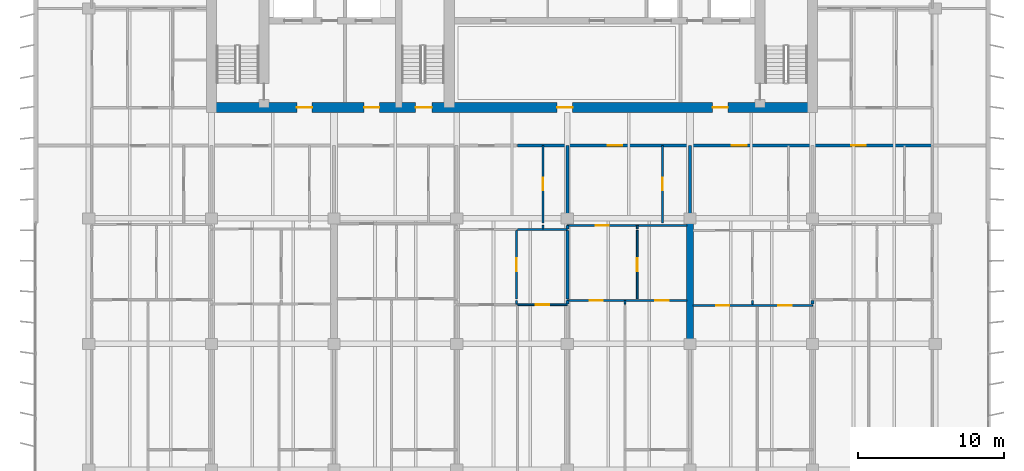
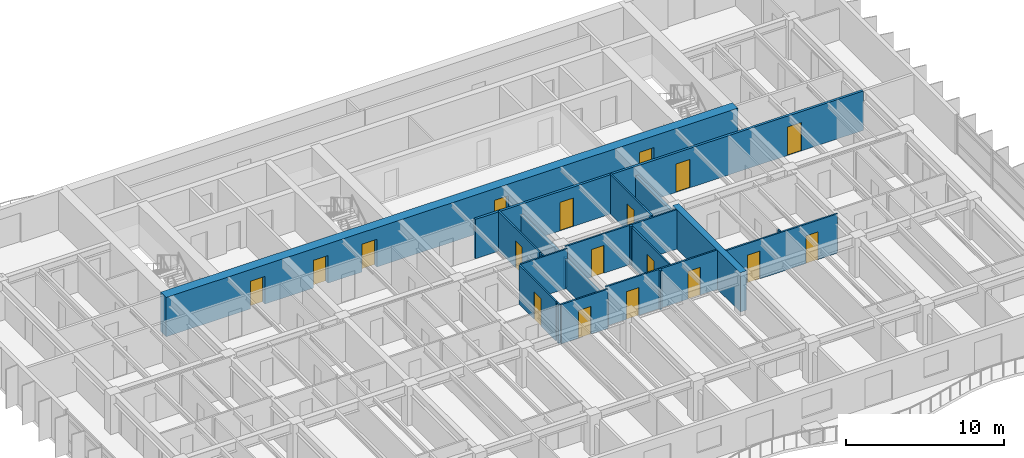
# One storey, part 11 of 19: 23 walls, 18 doors, 18 openings.
"""IFC4 building model written with IfcOpenShell, lengths in metres."""

import ifcopenshell
import ifcopenshell.guid

model = None  # the IFC model being written
_history = None  # IfcOwnerHistory: only IFC2X3 demands one
_inside = {}  # id of a spatial element -> (the spatial element, [elements in it])
_under = {}  # id of a project, library or spatial element -> (it, [spatial elements below it])
_declared = {}  # id of a project -> (the project, [libraries it declares])
_typed = {}  # id of a type object -> (the type object, [elements of that type])
_made_of = {}  # id of a material, layer set ... -> (it, [elements and type objects made of it])


def new_model(schema):
    """Start an empty IFC model of exactly this schema.

    Asked for "IFC4X3", IfcOpenShell would pick the latest addendum, in which some entities
    have other attributes; the version numbers below select the first issue.
    IFC2X3 requires an IfcOwnerHistory on every rooted entity: one is made here for all.
    """
    global model, _history
    if schema == "IFC4X3":
        model = ifcopenshell.file(schema_version=(4, 3, 0, 0))
    else:
        model = ifcopenshell.file(schema=schema)
    _inside.clear()
    _under.clear()
    _declared.clear()
    _typed.clear()
    _made_of.clear()
    _history = None
    if model.schema == "IFC2X3":
        org = make("IfcOrganization", Name="unknown")
        user = make(
            "IfcPersonAndOrganization",
            ThePerson=make("IfcPerson", FamilyName="unknown"),
            TheOrganization=org,
        )
        app = make(
            "IfcApplication",
            ApplicationDeveloper=org,
            Version="unknown",
            ApplicationFullName="unknown",
            ApplicationIdentifier="unknown",
        )
        _history = make(
            "IfcOwnerHistory",
            OwningUser=user,
            OwningApplication=app,
            ChangeAction="ADDED",
            CreationDate=0,
        )
    return model


def make(cls, **values):
    """One entity of the class cls with the attributes given. An attribute that is None is left unset."""
    return model.create_entity(
        cls, **{name: value for name, value in values.items() if value is not None}
    )


def rooted(cls, **values):
    """An entity with a GlobalId (a new one), such as an element, a storey or a relation."""
    return make(cls, GlobalId=ifcopenshell.guid.new(), OwnerHistory=_history, **values)


def si_unit(unit_type, name, prefix=None):
    """IfcSIUnit, for example si_unit("LENGTHUNIT", "METRE", prefix="MILLI")."""
    return make("IfcSIUnit", UnitType=unit_type, Prefix=prefix, Name=name)


def assignment(units):
    """IfcUnitAssignment: the units of a project."""
    return None if units is None else make("IfcUnitAssignment", Units=units)


def point(xyz):
    """IfcCartesianPoint."""
    return None if xyz is None else make("IfcCartesianPoint", Coordinates=xyz)


def direction(xyz):
    """IfcDirection."""
    return None if xyz is None else make("IfcDirection", DirectionRatios=xyz)


def frame(location, z_axis=None, x_axis=None):
    """IfcAxis2Placement3D, a coordinate frame: its origin and axes. An axis left out is left unset."""
    return make(
        "IfcAxis2Placement3D",
        Location=point(location),
        Axis=direction(z_axis),
        RefDirection=direction(x_axis),
    )


def frame_2d(location, x_axis=None):
    """IfcAxis2Placement2D, a coordinate frame in the plane: its origin and x axis."""
    return make(
        "IfcAxis2Placement2D", Location=point(location), RefDirection=direction(x_axis)
    )


def origin():
    """The frame at (0, 0, 0) with its axes left unset."""
    return frame((0.0, 0.0, 0.0))


def place(relative_to, where):
    """IfcLocalPlacement: puts the frame where relative to a parent placement (None: the world)."""
    return make(
        "IfcLocalPlacement", PlacementRelTo=relative_to, RelativePlacement=where
    )


def context(
    kind, dimensions, precision=None, world=None, true_north=None, identifier=None
):
    """IfcGeometricRepresentationContext, for example the 3D "Model" context."""
    return make(
        "IfcGeometricRepresentationContext",
        ContextIdentifier=identifier,
        ContextType=kind,
        CoordinateSpaceDimension=dimensions,
        Precision=precision,
        WorldCoordinateSystem=world,
        TrueNorth=true_north,
    )


def subcontext(parent, identifier, kind, view, scale=None):
    """IfcGeometricRepresentationSubContext, for example "Body" below "Model"."""
    return make(
        "IfcGeometricRepresentationSubContext",
        ContextIdentifier=identifier,
        ContextType=kind,
        ParentContext=parent,
        TargetScale=scale,
        TargetView=view,
    )


def project(units=None, contexts=None):
    """IfcProject with its units and contexts."""
    return rooted(
        "IfcProject",
        Name="project",
        RepresentationContexts=contexts,
        UnitsInContext=assignment(units),
    )


def spatial(cls, under=None, at=None, **own):
    """A site, building, storey or space (cls), placed at a placement, below another one or the project."""
    s = rooted(cls, ObjectPlacement=at, **own)
    if under is not None:
        _under.setdefault(under.id(), (under, []))[1].append(s)
    return s


def profile(cls, at=None, kind="AREA", **sizes):
    """A parametric profile (cls). Its sizes go by their IFC names, for example OverallWidth=200.0."""
    return make(cls, ProfileType=kind, Position=at, **sizes)


def rectangle(**sizes):
    """IfcRectangleProfileDef."""
    return profile("IfcRectangleProfileDef", **sizes)


def extrude(swept, where, along, depth):
    """IfcExtrudedAreaSolid: the profile swept, set in the frame where, extruded along a direction by depth."""
    return make(
        "IfcExtrudedAreaSolid",
        SweptArea=swept,
        Position=where,
        ExtrudedDirection=direction(along),
        Depth=depth,
    )


def shape(context_of_items, identifier, shape_type, items):
    """IfcShapeRepresentation: the items that make up one representation, for example the "Body"."""
    return make(
        "IfcShapeRepresentation",
        ContextOfItems=context_of_items,
        RepresentationIdentifier=identifier,
        RepresentationType=shape_type,
        Items=items,
    )


def material(Name=None, Category=None):
    """IfcMaterial."""
    return make("IfcMaterial", Name=Name, Category=Category)


def layer(
    of_material, thickness, ventilated=None, Name=None, Category=None, Priority=None
):
    """IfcMaterialLayer: one layer of a wall or slab, of a material (None: an air gap)."""
    return make(
        "IfcMaterialLayer",
        Material=of_material,
        LayerThickness=thickness,
        IsVentilated=ventilated,
        Name=Name,
        Category=Category,
        Priority=Priority,
    )


def layer_set(layers, Name=None):
    """IfcMaterialLayerSet."""
    return make("IfcMaterialLayerSet", MaterialLayers=layers, LayerSetName=Name)


def made_of(thing, what):
    """Note that an element or type object is made of a material, layer set ...; save() writes the relation."""
    if what is not None:
        _made_of.setdefault(what.id(), (what, []))[1].append(thing)
    return thing


def type_object(cls, material=None, **own):
    """A type object (cls), such as IfcWallType, which elements share."""
    return made_of(rooted(cls, **own), material)


def element(
    cls,
    number,
    at=None,
    inside=None,
    cuts=None,
    type_object=None,
    material=None,
    context=None,
    identifier="Body",
    shape_type=None,
    held_by="IfcProductDefinitionShape",
    body=None,
    shapes=None,
    **own,
):
    """One element of the class cls, such as IfcWall. Its Tag is "e" and its number.

    at: its placement. inside: the storey or other place that contains it. cuts: it is an
    opening in that element (IfcRelVoidsElement). A single representation is given by context,
    identifier, shape_type and body (its items); several are given by shapes. held_by: the class
    of the entity that holds the representations. save() writes the other relations.
    """
    e = rooted(cls, Tag="e%d" % number, ObjectPlacement=at, **own)
    if body is not None:
        shapes = [shape(context, identifier, shape_type, body)]
    if shapes is not None:
        e.Representation = make(held_by, Representations=shapes)
    if inside is not None:
        _inside.setdefault(inside.id(), (inside, []))[1].append(e)
    if cuts is not None:
        rooted(
            "IfcRelVoidsElement", RelatingBuildingElement=cuts, RelatedOpeningElement=e
        )
    if type_object is not None:
        _typed.setdefault(type_object.id(), (type_object, []))[1].append(e)
    return made_of(e, material)


def fill(opening, filler):
    """IfcRelFillsElement: the door or window that sits in an opening."""
    return rooted(
        "IfcRelFillsElement",
        RelatingOpeningElement=opening,
        RelatedBuildingElement=filler,
    )


def aggregate(whole, parts):
    """IfcRelAggregates: a whole, such as a stair, and the parts it consists of."""
    return rooted("IfcRelAggregates", RelatingObject=whole, RelatedObjects=parts)


def save(model, path):
    """Write the relations noted so far, then the file.

    IfcRelAggregates (storeys below a building ...), IfcRelContainedInSpatialStructure (elements
    in a storey), IfcRelDefinesByType, IfcRelAssociatesMaterial and IfcRelDeclares: one each for
    every whole, place, type object, material and project.
    """
    for whole, parts in _under.values():
        aggregate(whole, parts)
    for where, things in _inside.values():
        rooted(
            "IfcRelContainedInSpatialStructure",
            RelatedElements=things,
            RelatingStructure=where,
        )
    for kind, things in _typed.values():
        rooted("IfcRelDefinesByType", RelatedObjects=things, RelatingType=kind)
    for what, things in _made_of.values():
        rooted("IfcRelAssociatesMaterial", RelatedObjects=things, RelatingMaterial=what)
    for by, libraries in _declared.values():
        rooted("IfcRelDeclares", RelatingContext=by, RelatedDefinitions=libraries)
    model.write(path)


model = new_model("IFC4")

# Units and contexts
model_context = context("Model", 3, precision=1e-05, world=origin(), true_north=direction((0.0, 1.0)))
body_context = subcontext(model_context, "Body", "Model", "MODEL_VIEW")
ifc_project = project(units=[si_unit("LENGTHUNIT", "METRE"), si_unit("AREAUNIT", "SQUARE_METRE"), si_unit("VOLUMEUNIT", "CUBIC_METRE"), si_unit("PLANEANGLEUNIT", "RADIAN"), si_unit("MASSUNIT", "GRAM", prefix="KILO")], contexts=[model_context])

# Site, building, storey
site_placement = place(None, origin())
site = spatial("IfcSite", under=ifc_project, at=site_placement, CompositionType="ELEMENT")
building_placement = place(site_placement, origin())
building = spatial("IfcBuilding", under=site, at=building_placement, Name="Caelmar Bay Residences", CompositionType="ELEMENT")
storey_placement = place(building_placement, frame((0.0, 0.0, 214.800048828125)))
storey = spatial("IfcBuildingStorey", under=building, at=storey_placement, Name="L60", CompositionType="ELEMENT", Elevation=214.800048828125)

# Wall, openings, doors
ifc_material_1 = material(Name="Concrete f'c 55 MPa (8,000 psi)", Category="concrete")
ifc_layer_1 = layer(ifc_material_1, 0.699951171875)
ifc_layer_set_1 = layer_set([ifc_layer_1], Name="Concrete f'c 55 MPa (8,000 psi)")
wall_type_1 = type_object("IfcWallType", Name="SW-COR-700", PredefinedType="SHEAR", material=ifc_layer_set_1)
wall_1_placement = place(storey_placement, frame((17.949951171875, 37.0, 0.0), z_axis=(0.0, 0.0, 1.0), x_axis=(1.0, 0.0, 0.0)))
wall_1 = element("IfcWall", 1, at=wall_1_placement, inside=storey, type_object=wall_type_1, Name="L60 Rear Core South Shear Wall", PredefinedType="SHEAR", context=body_context, shape_type="SweptSolid", body=[
    extrude(rectangle(XDim=41.900146484375, YDim=0.699951171875, at=frame_2d((20.9501953125, 0.0))), origin(), (0.0, 0.0, 1.0), 3.050048828125),
])
opening_1_placement = place(wall_1_placement, frame((14.35009765625, 0.0, 0.0)))
opening_1 = element("IfcOpeningElement", 2, at=opening_1_placement, cuts=wall_1, Name="Opening D-L60-105", PredefinedType="OPENING", context=body_context, shape_type="SweptSolid", body=[
    extrude(rectangle(XDim=1.10009765625, YDim=2.14990234375, at=frame_2d((0.550048828125, 1.074951171875))), frame((0.0, 0.35986328125, 0.0), z_axis=(0.0, -1.0, 0.0), x_axis=(1.0, 0.0, 0.0)), (0.0, 0.0, 1.0), 0.719970703125),
])
opening_2_placement = place(wall_1_placement, frame((6.199951171875, 0.0, 0.0)))
opening_2 = element("IfcOpeningElement", 3, at=opening_2_placement, cuts=wall_1, Name="Opening D-L60-106", PredefinedType="OPENING", context=body_context, shape_type="SweptSolid", body=[
    extrude(rectangle(XDim=1.050048828125, YDim=2.14990234375, at=frame_2d((0.52490234375, 1.074951171875))), frame((0.0, 0.35986328125, 0.0), z_axis=(0.0, -1.0, 0.0), x_axis=(1.0, 0.0, 0.0)), (0.0, 0.0, 1.0), 0.719970703125),
])
opening_3_placement = place(wall_1_placement, frame((34.699951171875, 0.0, 0.0)))
opening_3 = element("IfcOpeningElement", 4, at=opening_3_placement, cuts=wall_1, Name="Opening D-L60-109", PredefinedType="OPENING", context=body_context, shape_type="SweptSolid", body=[
    extrude(rectangle(XDim=1.050048828125, YDim=2.14990234375, at=frame_2d((0.52490234375, 1.074951171875))), frame((0.0, 0.35986328125, 0.0), z_axis=(0.0, -1.0, 0.0), x_axis=(1.0, 0.0, 0.0)), (0.0, 0.0, 1.0), 0.719970703125),
])
opening_4_placement = place(wall_1_placement, frame((10.8125, 0.0, 0.0)))
opening_4 = element("IfcOpeningElement", 5, at=opening_4_placement, cuts=wall_1, Name="Opening D-L60-112", PredefinedType="OPENING", context=body_context, shape_type="SweptSolid", body=[
    extrude(rectangle(XDim=1.050048828125, YDim=2.14990234375, at=frame_2d((0.52490234375, 1.074951171875))), frame((0.0, 0.35986328125, 0.0), z_axis=(0.0, -1.0, 0.0), x_axis=(1.0, 0.0, 0.0)), (0.0, 0.0, 1.0), 0.719970703125),
])
opening_5_placement = place(wall_1_placement, frame((24.050048828125, 0.0, 0.0)))
opening_5 = element("IfcOpeningElement", 6, at=opening_5_placement, cuts=wall_1, Name="Opening D-L60-113", PredefinedType="OPENING", context=body_context, shape_type="SweptSolid", body=[
    extrude(rectangle(XDim=1.050048828125, YDim=2.14990234375, at=frame_2d((0.52490234375, 1.074951171875))), frame((0.0, 0.35986328125, 0.0), z_axis=(0.0, -1.0, 0.0), x_axis=(1.0, 0.0, 0.0)), (0.0, 0.0, 1.0), 0.719970703125),
])
ifc_material_2 = material(Name="Fire-rated steel and walnut architectural door assembly", Category="steel")
ifc_layer_2 = layer(ifc_material_2, 0.050048828125)
ifc_layer_set_2 = layer_set([ifc_layer_2], Name="Fire-rated steel and walnut architectural door assembly")
door_type_1 = type_object("IfcDoorType", Name="D-FSAE-1050", OperationType="NOTDEFINED", PredefinedType="DOOR", material=ifc_layer_set_2)
door_1_placement = place(opening_2_placement, origin())
door_1 = element("IfcDoor", 7, at=door_1_placement, inside=storey, type_object=door_type_1, Name="L60 Firefighting Lobby West Door", OperationType="SINGLE_SWING_LEFT", OverallHeight=2.14990234375, OverallWidth=1.050048828125, PredefinedType="DOOR", context=body_context, shape_type="SweptSolid", body=[
    extrude(rectangle(XDim=1.050048828125, YDim=2.14990234375, at=frame_2d((0.52490234375, 1.074951171875))), frame((0.0, 0.02490234375, 0.0), z_axis=(0.0, -1.0, 0.0), x_axis=(1.0, 0.0, 0.0)), (0.0, 0.0, 1.0), 0.050048828125),
])
fill(opening_2, door_1)
door_2_placement = place(opening_3_placement, origin())
door_2 = element("IfcDoor", 8, at=door_2_placement, inside=storey, type_object=door_type_1, Name="L60 Firefighting Lobby East Door", OperationType="SINGLE_SWING_RIGHT", OverallHeight=2.14990234375, OverallWidth=1.050048828125, PredefinedType="DOOR", context=body_context, shape_type="SweptSolid", body=[
    extrude(rectangle(XDim=1.050048828125, YDim=2.14990234375, at=frame_2d((0.52490234375, 1.074951171875))), frame((0.0, 0.02490234375, 0.0), z_axis=(0.0, -1.0, 0.0), x_axis=(1.0, 0.0, 0.0)), (0.0, 0.0, 1.0), 0.050048828125),
])
fill(opening_3, door_2)
door_3_placement = place(opening_4_placement, origin())
door_3 = element("IfcDoor", 9, at=door_3_placement, inside=storey, type_object=door_type_1, Name="L60 West Lift Lobby Door", OperationType="SINGLE_SWING_LEFT", OverallHeight=2.14990234375, OverallWidth=1.050048828125, PredefinedType="DOOR", context=body_context, shape_type="SweptSolid", body=[
    extrude(rectangle(XDim=1.050048828125, YDim=2.14990234375, at=frame_2d((0.52490234375, 1.074951171875))), frame((0.0, 0.02490234375, 0.0), z_axis=(0.0, -1.0, 0.0), x_axis=(1.0, 0.0, 0.0)), (0.0, 0.0, 1.0), 0.050048828125),
])
fill(opening_4, door_3)
door_4_placement = place(opening_5_placement, origin())
door_4 = element("IfcDoor", 10, at=door_4_placement, inside=storey, type_object=door_type_1, Name="L60 Passenger Lift Lobby Door", OperationType="SINGLE_SWING_RIGHT", OverallHeight=2.14990234375, OverallWidth=1.050048828125, PredefinedType="DOOR", context=body_context, shape_type="SweptSolid", body=[
    extrude(rectangle(XDim=1.050048828125, YDim=2.14990234375, at=frame_2d((0.52490234375, 1.074951171875))), frame((0.0, 0.02490234375, 0.0), z_axis=(0.0, -1.0, 0.0), x_axis=(1.0, 0.0, 0.0)), (0.0, 0.0, 1.0), 0.050048828125),
])
fill(opening_5, door_4)
ifc_layer_3 = layer(ifc_material_2, 0.050048828125)
ifc_layer_set_3 = layer_set([ifc_layer_3], Name="Fire-rated steel and walnut architectural door assembly")
door_type_2 = type_object("IfcDoorType", Name="D-STAIR-1100", OperationType="NOTDEFINED", PredefinedType="DOOR", material=ifc_layer_set_3)
door_5_placement = place(opening_1_placement, origin())
door_5 = element("IfcDoor", 11, at=door_5_placement, inside=storey, type_object=door_type_2, Name="L60 Exit Stair ST3 Door", OperationType="SINGLE_SWING_RIGHT", OverallHeight=2.14990234375, OverallWidth=1.10009765625, PredefinedType="DOOR", context=body_context, shape_type="SweptSolid", body=[
    extrude(rectangle(XDim=1.10009765625, YDim=2.14990234375, at=frame_2d((0.550048828125, 1.074951171875))), frame((0.0, 0.02490234375, 0.0), z_axis=(0.0, -1.0, 0.0), x_axis=(1.0, 0.0, 0.0)), (0.0, 0.0, 1.0), 0.050048828125),
])
fill(opening_1, door_5)

# Wall
ifc_layer_4 = layer(ifc_material_1, 0.449951171875)
ifc_layer_set_4 = layer_set([ifc_layer_4], Name="Concrete f'c 55 MPa (8,000 psi)")
wall_type_2 = type_object("IfcWallType", Name="SW-XSLB-450", PredefinedType="SHEAR", material=ifc_layer_set_4)
wall_2_placement = place(storey_placement, frame((51.10009765625, 20.800048828125, 0.0), z_axis=(0.0, 0.0, 1.0), x_axis=(0.0, 1.0, 0.0)))
element("IfcWall", 12, at=wall_2_placement, inside=storey, type_object=wall_type_2, Name="L60 Transverse Cross-Slab Shear Wall E8", PredefinedType="SHEAR", context=body_context, shape_type="SweptSolid", body=[
    extrude(rectangle(XDim=8.599853515625, YDim=0.449951171875, at=frame_2d((4.2998046875, 0.0))), origin(), (0.0, 0.0, 1.0), 3.050048828125),
])

# Wall, openings, doors
ifc_material_3 = material(Name="Double-stud acoustic fire-rated gypsum partition 180 mm")
ifc_layer_5 = layer(ifc_material_3, 0.179931640625)
ifc_layer_set_5 = layer_set([ifc_layer_5], Name="Double-stud acoustic fire-rated gypsum partition 180 mm")
wall_type_3 = type_object("IfcWallType", Name="W-COR-200", PredefinedType="PARTITIONING", material=ifc_layer_set_5)
wall_3_placement = place(storey_placement, frame((39.280029296875, 34.39990234375, 0.0), z_axis=(0.0, 0.0, 1.0), x_axis=(1.0, 0.0, 0.0)))
wall_3 = element("IfcWall", 13, at=wall_3_placement, inside=storey, type_object=wall_type_3, Name="L60 Partition Wall H128", PredefinedType="PARTITIONING", context=body_context, shape_type="SweptSolid", body=[
    extrude(rectangle(XDim=28.419921875, YDim=0.179931640625, at=frame_2d((14.2099609375, 0.0))), origin(), (0.0, 0.0, 1.0), 3.050048828125),
])
opening_6_placement = place(wall_3_placement, frame((6.179931640625, 0.0, 0.0)))
opening_6 = element("IfcOpeningElement", 14, at=opening_6_placement, cuts=wall_3, Name="Opening D-L60-147", PredefinedType="OPENING", context=body_context, shape_type="SweptSolid", body=[
    extrude(rectangle(XDim=1.0, YDim=2.199951171875, at=frame_2d((0.5, 1.10009765625))), frame((0.0, 0.099853515625, 0.0), z_axis=(0.0, -1.0, 0.0), x_axis=(1.0, 0.0, 0.0)), (0.0, 0.0, 1.0), 0.199951171875),
])
opening_7_placement = place(wall_3_placement, frame((14.695068359375, 0.0, 0.0)))
opening_7 = element("IfcOpeningElement", 15, at=opening_7_placement, cuts=wall_3, Name="Opening D-L60-154", PredefinedType="OPENING", context=body_context, shape_type="SweptSolid", body=[
    extrude(rectangle(XDim=1.0, YDim=2.199951171875, at=frame_2d((0.5, 1.10009765625))), frame((0.0, 0.099853515625, 0.0), z_axis=(0.0, -1.0, 0.0), x_axis=(1.0, 0.0, 0.0)), (0.0, 0.0, 1.0), 0.199951171875),
])
opening_8_placement = place(wall_3_placement, frame((22.8701171875, 0.0, 0.0)))
opening_8 = element("IfcOpeningElement", 16, at=opening_8_placement, cuts=wall_3, Name="Opening D-L60-161", PredefinedType="OPENING", context=body_context, shape_type="SweptSolid", body=[
    extrude(rectangle(XDim=1.0, YDim=2.199951171875, at=frame_2d((0.5, 1.10009765625))), frame((0.0, 0.099853515625, 0.0), z_axis=(0.0, -1.0, 0.0), x_axis=(1.0, 0.0, 0.0)), (0.0, 0.0, 1.0), 0.199951171875),
])
ifc_layer_6 = layer(ifc_material_2, 0.050048828125)
ifc_layer_set_6 = layer_set([ifc_layer_6], Name="Fire-rated steel and walnut architectural door assembly")
door_type_3 = type_object("IfcDoorType", Name="D-UNIT-1000", OperationType="NOTDEFINED", PredefinedType="DOOR", material=ifc_layer_set_6)
door_6_placement = place(opening_6_placement, origin())
door_6 = element("IfcDoor", 17, at=door_6_placement, inside=storey, type_object=door_type_3, Name="L60 Residence 05 Apartment Hall Door", OperationType="SINGLE_SWING_RIGHT", OverallHeight=2.199951171875, OverallWidth=1.0, PredefinedType="DOOR", context=body_context, shape_type="SweptSolid", body=[
    extrude(rectangle(XDim=1.0, YDim=2.199951171875, at=frame_2d((0.5, 1.10009765625))), frame((0.0, 0.02490234375, 0.0), z_axis=(0.0, -1.0, 0.0), x_axis=(1.0, 0.0, 0.0)), (0.0, 0.0, 1.0), 0.050048828125),
])
fill(opening_6, door_6)
door_7_placement = place(opening_7_placement, origin())
door_7 = element("IfcDoor", 18, at=door_7_placement, inside=storey, type_object=door_type_3, Name="L60 Residence 06 Apartment Hall Door", OperationType="SINGLE_SWING_LEFT", OverallHeight=2.199951171875, OverallWidth=1.0, PredefinedType="DOOR", context=body_context, shape_type="SweptSolid", body=[
    extrude(rectangle(XDim=1.0, YDim=2.199951171875, at=frame_2d((0.5, 1.10009765625))), frame((0.0, 0.02490234375, 0.0), z_axis=(0.0, -1.0, 0.0), x_axis=(1.0, 0.0, 0.0)), (0.0, 0.0, 1.0), 0.050048828125),
])
fill(opening_7, door_7)
door_8_placement = place(opening_8_placement, origin())
door_8 = element("IfcDoor", 19, at=door_8_placement, inside=storey, type_object=door_type_3, Name="L60 Residence 07 Apartment Hall Door", OperationType="SINGLE_SWING_RIGHT", OverallHeight=2.199951171875, OverallWidth=1.0, PredefinedType="DOOR", context=body_context, shape_type="SweptSolid", body=[
    extrude(rectangle(XDim=1.0, YDim=2.199951171875, at=frame_2d((0.5, 1.10009765625))), frame((0.0, 0.02490234375, 0.0), z_axis=(0.0, -1.0, 0.0), x_axis=(1.0, 0.0, 0.0)), (0.0, 0.0, 1.0), 0.050048828125),
])
fill(opening_8, door_8)

# Wall
ifc_material_4 = material(Name="Acoustic metal-stud gypsum partition 120 mm")
ifc_layer_7 = layer(ifc_material_4, 0.1201171875)
ifc_layer_set_7 = layer_set([ifc_layer_7], Name="Acoustic metal-stud gypsum partition 120 mm")
wall_type_4 = type_object("IfcWallType", Name="W-PRT-120", PredefinedType="PARTITIONING", material=ifc_layer_set_7)
wall_4_placement = place(storey_placement, frame((39.2041015625, 23.530029296875, 0.0), z_axis=(0.0, 0.0, 1.0), x_axis=(0.0, 1.0, 0.0)))
element("IfcWall", 20, at=wall_4_placement, inside=storey, type_object=wall_type_4, Name="L60 Partition Wall V049", PredefinedType="PARTITIONING", context=body_context, shape_type="SweptSolid", body=[
    extrude(rectangle(XDim=0.239990234375, YDim=0.1201171875, at=frame_2d((0.1201171875, 0.0))), origin(), (0.0, 0.0, 1.0), 3.050048828125),
])

# Wall, opening, door
wall_5_placement = place(storey_placement, frame((39.2041015625, 23.889892578125, 0.0), z_axis=(0.0, 0.0, 1.0), x_axis=(0.0, 1.0, 0.0)))
wall_5 = element("IfcWall", 21, at=wall_5_placement, inside=storey, type_object=wall_type_4, Name="L60 Partition Wall V050", PredefinedType="PARTITIONING", context=body_context, shape_type="SweptSolid", body=[
    extrude(rectangle(XDim=4.690185546875, YDim=0.1201171875, at=frame_2d((2.34521484375, 0.0))), origin(), (0.0, 0.0, 1.0), 3.050048828125),
])
opening_9_placement = place(wall_5_placement, frame((1.89501953125, 0.0, 0.0)))
opening_9 = element("IfcOpeningElement", 22, at=opening_9_placement, cuts=wall_5, Name="Opening D-L60-144", PredefinedType="OPENING", context=body_context, shape_type="SweptSolid", body=[
    extrude(rectangle(XDim=0.89990234375, YDim=2.14990234375, at=frame_2d((0.449951171875, 1.074951171875))), frame((0.0, 0.070068359375, 0.0), z_axis=(0.0, -1.0, 0.0), x_axis=(1.0, 0.0, 0.0)), (0.0, 0.0, 1.0), 0.14013671875),
])
ifc_material_5 = material(Name="Solid walnut timber interior door leaf and frame", Category="wood")
ifc_layer_8 = layer(ifc_material_5, 0.050048828125)
ifc_layer_set_8 = layer_set([ifc_layer_8], Name="Solid walnut timber interior door leaf and frame")
door_type_4 = type_object("IfcDoorType", Name="D-ROOM-900", OperationType="NOTDEFINED", PredefinedType="DOOR", material=ifc_layer_set_8)
door_9_placement = place(opening_9_placement, origin())
door_9 = element("IfcDoor", 23, at=door_9_placement, inside=storey, type_object=door_type_4, Name="L60 Residence 04 Curator Office Door", OperationType="SINGLE_SWING_LEFT", OverallHeight=2.14990234375, OverallWidth=0.89990234375, PredefinedType="DOOR", context=body_context, shape_type="SweptSolid", body=[
    extrude(rectangle(XDim=0.89990234375, YDim=2.14990234375, at=frame_2d((0.449951171875, 1.074951171875))), frame((0.0, 0.02490234375, 0.0), z_axis=(0.0, -1.0, 0.0), x_axis=(1.0, 0.0, 0.0)), (0.0, 0.0, 1.0), 0.050048828125),
])
fill(opening_9, door_9)

# Wall
wall_6_placement = place(storey_placement, frame((41.032958984375, 28.679931640625, 0.0), z_axis=(0.0, 0.0, 1.0), x_axis=(0.0, 1.0, 0.0)))
element("IfcWall", 24, at=wall_6_placement, inside=storey, type_object=wall_type_4, Name="L60 Partition Wall V053", PredefinedType="PARTITIONING", context=body_context, shape_type="SweptSolid", body=[
    extrude(rectangle(XDim=0.239990234375, YDim=0.1201171875, at=frame_2d((0.1201171875, 0.0))), origin(), (0.0, 0.0, 1.0), 3.050048828125),
])

# Wall, opening, door
wall_7_placement = place(storey_placement, frame((41.032958984375, 29.10009765625, 0.0), z_axis=(0.0, 0.0, 1.0), x_axis=(0.0, 1.0, 0.0)))
wall_7 = element("IfcWall", 25, at=wall_7_placement, inside=storey, type_object=wall_type_4, Name="L60 Partition Wall V054", PredefinedType="PARTITIONING", context=body_context, shape_type="SweptSolid", body=[
    extrude(rectangle(XDim=5.2998046875, YDim=0.1201171875, at=frame_2d((2.64990234375, 0.0))), origin(), (0.0, 0.0, 1.0), 3.050048828125),
])
opening_10_placement = place(wall_7_placement, frame((2.22509765625, 0.0, 0.0)))
opening_10 = element("IfcOpeningElement", 26, at=opening_10_placement, cuts=wall_7, Name="Opening D-L60-142", PredefinedType="OPENING", context=body_context, shape_type="SweptSolid", body=[
    extrude(rectangle(XDim=0.85009765625, YDim=2.10009765625, at=frame_2d((0.425048828125, 1.050048828125))), frame((0.0, 0.070068359375, 0.0), z_axis=(0.0, -1.0, 0.0), x_axis=(1.0, 0.0, 0.0)), (0.0, 0.0, 1.0), 0.14013671875),
])
ifc_layer_9 = layer(ifc_material_5, 0.050048828125)
ifc_layer_set_9 = layer_set([ifc_layer_9], Name="Solid walnut timber interior door leaf and frame")
door_type_5 = type_object("IfcDoorType", Name="D-BATH-850", OperationType="NOTDEFINED", PredefinedType="DOOR", material=ifc_layer_set_9)
door_10_placement = place(opening_10_placement, origin())
door_10 = element("IfcDoor", 27, at=door_10_placement, inside=storey, type_object=door_type_5, Name="L60 Residence 04 Bathroom Door", OperationType="SINGLE_SWING_LEFT", OverallHeight=2.10009765625, OverallWidth=0.85009765625, PredefinedType="DOOR", context=body_context, shape_type="SweptSolid", body=[
    extrude(rectangle(XDim=0.85009765625, YDim=2.10009765625, at=frame_2d((0.425048828125, 1.050048828125))), frame((0.0, 0.02490234375, 0.0), z_axis=(0.0, -1.0, 0.0), x_axis=(1.0, 0.0, 0.0)), (0.0, 0.0, 1.0), 0.050048828125),
])
fill(opening_10, door_10)

# Wall
wall_8_placement = place(storey_placement, frame((46.64794921875, 23.530029296875, 0.0), z_axis=(0.0, 0.0, 1.0), x_axis=(0.0, 1.0, 0.0)))
element("IfcWall", 28, at=wall_8_placement, inside=storey, type_object=wall_type_4, Name="L60 Partition Wall V064", PredefinedType="PARTITIONING", context=body_context, shape_type="SweptSolid", body=[
    extrude(rectangle(XDim=0.239990234375, YDim=0.1201171875, at=frame_2d((0.1201171875, 0.0))), origin(), (0.0, 0.0, 1.0), 3.050048828125),
])

# Wall, opening, door
wall_9_placement = place(storey_placement, frame((47.486083984375, 23.889892578125, 0.0), z_axis=(0.0, 0.0, 1.0), x_axis=(0.0, 1.0, 0.0)))
wall_9 = element("IfcWall", 29, at=wall_9_placement, inside=storey, type_object=wall_type_4, Name="L60 Partition Wall V065", PredefinedType="PARTITIONING", context=body_context, shape_type="SweptSolid", body=[
    extrude(rectangle(XDim=4.690185546875, YDim=0.1201171875, at=frame_2d((2.34521484375, 0.0))), origin(), (0.0, 0.0, 1.0), 3.050048828125),
])
opening_11_placement = place(wall_9_placement, frame((1.89501953125, 0.0, 0.0)))
opening_11 = element("IfcOpeningElement", 30, at=opening_11_placement, cuts=wall_9, Name="Opening D-L60-150", PredefinedType="OPENING", context=body_context, shape_type="SweptSolid", body=[
    extrude(rectangle(XDim=0.89990234375, YDim=2.14990234375, at=frame_2d((0.449951171875, 1.074951171875))), frame((0.0, 0.070068359375, 0.0), z_axis=(0.0, -1.0, 0.0), x_axis=(1.0, 0.0, 0.0)), (0.0, 0.0, 1.0), 0.14013671875),
])
door_11_placement = place(opening_11_placement, origin())
door_11 = element("IfcDoor", 31, at=door_11_placement, inside=storey, type_object=door_type_4, Name="L60 Residence 05 Curator Office Door", OperationType="SINGLE_SWING_LEFT", OverallHeight=2.14990234375, OverallWidth=0.89990234375, PredefinedType="DOOR", context=body_context, shape_type="SweptSolid", body=[
    extrude(rectangle(XDim=0.89990234375, YDim=2.14990234375, at=frame_2d((0.449951171875, 1.074951171875))), frame((0.0, 0.02490234375, 0.0), z_axis=(0.0, -1.0, 0.0), x_axis=(1.0, 0.0, 0.0)), (0.0, 0.0, 1.0), 0.050048828125),
])
fill(opening_11, door_11)

# Wall
wall_10_placement = place(storey_placement, frame((47.486083984375, 28.679931640625, 0.0), z_axis=(0.0, 0.0, 1.0), x_axis=(0.0, 1.0, 0.0)))
element("IfcWall", 32, at=wall_10_placement, inside=storey, type_object=wall_type_4, Name="L60 Partition Wall V066", PredefinedType="PARTITIONING", context=body_context, shape_type="SweptSolid", body=[
    extrude(rectangle(XDim=0.239990234375, YDim=0.1201171875, at=frame_2d((0.1201171875, 0.0))), origin(), (0.0, 0.0, 1.0), 3.050048828125),
])

# Wall, opening, door
wall_11_placement = place(storey_placement, frame((49.219970703125, 29.10009765625, 0.0), z_axis=(0.0, 0.0, 1.0), x_axis=(0.0, 1.0, 0.0)))
wall_11 = element("IfcWall", 33, at=wall_11_placement, inside=storey, type_object=wall_type_4, Name="L60 Partition Wall V068", PredefinedType="PARTITIONING", context=body_context, shape_type="SweptSolid", body=[
    extrude(rectangle(XDim=5.2998046875, YDim=0.1201171875, at=frame_2d((2.64990234375, 0.0))), origin(), (0.0, 0.0, 1.0), 3.050048828125),
])
opening_12_placement = place(wall_11_placement, frame((2.22509765625, 0.0, 0.0)))
opening_12 = element("IfcOpeningElement", 34, at=opening_12_placement, cuts=wall_11, Name="Opening D-L60-148", PredefinedType="OPENING", context=body_context, shape_type="SweptSolid", body=[
    extrude(rectangle(XDim=0.85009765625, YDim=2.10009765625, at=frame_2d((0.425048828125, 1.050048828125))), frame((0.0, 0.070068359375, 0.0), z_axis=(0.0, -1.0, 0.0), x_axis=(1.0, 0.0, 0.0)), (0.0, 0.0, 1.0), 0.14013671875),
])
door_12_placement = place(opening_12_placement, origin())
door_12 = element("IfcDoor", 35, at=door_12_placement, inside=storey, type_object=door_type_5, Name="L60 Residence 05 Bathroom Door", OperationType="SINGLE_SWING_LEFT", OverallHeight=2.10009765625, OverallWidth=0.85009765625, PredefinedType="DOOR", context=body_context, shape_type="SweptSolid", body=[
    extrude(rectangle(XDim=0.85009765625, YDim=2.10009765625, at=frame_2d((0.425048828125, 1.050048828125))), frame((0.0, 0.02490234375, 0.0), z_axis=(0.0, -1.0, 0.0), x_axis=(1.0, 0.0, 0.0)), (0.0, 0.0, 1.0), 0.050048828125),
])
fill(opening_12, door_12)

# Wall
wall_12_placement = place(storey_placement, frame((55.385986328125, 23.530029296875, 0.0), z_axis=(0.0, 0.0, 1.0), x_axis=(0.0, 1.0, 0.0)))
element("IfcWall", 36, at=wall_12_placement, inside=storey, type_object=wall_type_4, Name="L60 Partition Wall V075", PredefinedType="PARTITIONING", context=body_context, shape_type="SweptSolid", body=[
    extrude(rectangle(XDim=0.239990234375, YDim=0.1201171875, at=frame_2d((0.1201171875, 0.0))), origin(), (0.0, 0.0, 1.0), 3.050048828125),
])

# Wall, openings, doors
wall_13_placement = place(storey_placement, frame((51.320068359375, 23.429931640625, 0.0), z_axis=(0.0, 0.0, 1.0), x_axis=(1.0, 0.0, 0.0)))
wall_13 = element("IfcWall", 37, at=wall_13_placement, inside=storey, type_object=wall_type_4, Name="L60 Partition Wall H110", PredefinedType="PARTITIONING", context=body_context, shape_type="SweptSolid", body=[
    extrude(rectangle(XDim=8.179931640625, YDim=0.1201171875, at=frame_2d((4.08984375, 0.0))), origin(), (0.0, 0.0, 1.0), 3.050048828125),
])
opening_13_placement = place(wall_13_placement, frame((1.5830078125, 0.0, 0.0)))
opening_13 = element("IfcOpeningElement", 38, at=opening_13_placement, cuts=wall_13, Name="Opening D-L60-158", PredefinedType="OPENING", context=body_context, shape_type="SweptSolid", body=[
    extrude(rectangle(XDim=0.89990234375, YDim=2.14990234375, at=frame_2d((0.449951171875, 1.074951171875))), frame((0.0, 0.070068359375, 0.0), z_axis=(0.0, -1.0, 0.0), x_axis=(1.0, 0.0, 0.0)), (0.0, 0.0, 1.0), 0.14013671875),
])
opening_14_placement = place(wall_13_placement, frame((5.840087890625, 0.0, 0.0)))
opening_14 = element("IfcOpeningElement", 39, at=opening_14_placement, cuts=wall_13, Name="Opening D-L60-159", PredefinedType="OPENING", context=body_context, shape_type="SweptSolid", body=[
    extrude(rectangle(XDim=0.89990234375, YDim=2.14990234375, at=frame_2d((0.449951171875, 1.074951171875))), frame((0.0, 0.070068359375, 0.0), z_axis=(0.0, -1.0, 0.0), x_axis=(1.0, 0.0, 0.0)), (0.0, 0.0, 1.0), 0.14013671875),
])
door_13_placement = place(opening_13_placement, origin())
door_13 = element("IfcDoor", 40, at=door_13_placement, inside=storey, type_object=door_type_4, Name="L60 Residence 06 Living Room Door", OperationType="SINGLE_SWING_LEFT", OverallHeight=2.14990234375, OverallWidth=0.89990234375, PredefinedType="DOOR", context=body_context, shape_type="SweptSolid", body=[
    extrude(rectangle(XDim=0.89990234375, YDim=2.14990234375, at=frame_2d((0.449951171875, 1.074951171875))), frame((0.0, 0.02490234375, 0.0), z_axis=(0.0, -1.0, 0.0), x_axis=(1.0, 0.0, 0.0)), (0.0, 0.0, 1.0), 0.050048828125),
])
fill(opening_13, door_13)
door_14_placement = place(opening_14_placement, origin())
door_14 = element("IfcDoor", 41, at=door_14_placement, inside=storey, type_object=door_type_4, Name="L60 Residence 06 Penthouse Sitting Room Door", OperationType="SINGLE_SWING_RIGHT", OverallHeight=2.14990234375, OverallWidth=0.89990234375, PredefinedType="DOOR", context=body_context, shape_type="SweptSolid", body=[
    extrude(rectangle(XDim=0.89990234375, YDim=2.14990234375, at=frame_2d((0.449951171875, 1.074951171875))), frame((0.0, 0.02490234375, 0.0), z_axis=(0.0, -1.0, 0.0), x_axis=(1.0, 0.0, 0.0)), (0.0, 0.0, 1.0), 0.050048828125),
])
fill(opening_14, door_14)

# Wall, opening, door
wall_14_placement = place(storey_placement, frame((39.280029296875, 23.489990234375, 0.0), z_axis=(0.0, 0.0, 1.0), x_axis=(1.0, 0.0, 0.0)))
wall_14 = element("IfcWall", 42, at=wall_14_placement, inside=storey, type_object=wall_type_4, Name="L60 Partition Wall H112", PredefinedType="PARTITIONING", context=body_context, shape_type="SweptSolid", body=[
    extrude(rectangle(XDim=3.419921875, YDim=0.1201171875, at=frame_2d((1.7099609375, 0.0))), origin(), (0.0, 0.0, 1.0), 3.050048828125),
])
opening_15_placement = place(wall_14_placement, frame((1.260009765625, 0.0, 0.0)))
opening_15 = element("IfcOpeningElement", 43, at=opening_15_placement, cuts=wall_14, Name="Opening D-L60-146", PredefinedType="OPENING", context=body_context, shape_type="SweptSolid", body=[
    extrude(rectangle(XDim=0.89990234375, YDim=2.14990234375, at=frame_2d((0.449951171875, 1.074951171875))), frame((0.0, 0.070068359375, 0.0), z_axis=(0.0, -1.0, 0.0), x_axis=(1.0, 0.0, 0.0)), (0.0, 0.0, 1.0), 0.14013671875),
])
door_15_placement = place(opening_15_placement, origin())
door_15 = element("IfcDoor", 44, at=door_15_placement, inside=storey, type_object=door_type_4, Name="L60 Residence 04 Primary Bedroom Door", OperationType="SINGLE_SWING_LEFT", OverallHeight=2.14990234375, OverallWidth=0.89990234375, PredefinedType="DOOR", context=body_context, shape_type="SweptSolid", body=[
    extrude(rectangle(XDim=0.89990234375, YDim=2.14990234375, at=frame_2d((0.449951171875, 1.074951171875))), frame((0.0, 0.02490234375, 0.0), z_axis=(0.0, -1.0, 0.0), x_axis=(1.0, 0.0, 0.0)), (0.0, 0.0, 1.0), 0.050048828125),
])
fill(opening_15, door_15)

# Wall, openings, doors
wall_15_placement = place(storey_placement, frame((42.699951171875, 23.77001953125, 0.0), z_axis=(0.0, 0.0, 1.0), x_axis=(1.0, 0.0, 0.0)))
wall_15 = element("IfcWall", 45, at=wall_15_placement, inside=storey, type_object=wall_type_4, Name="L60 Partition Wall H114", PredefinedType="PARTITIONING", context=body_context, shape_type="SweptSolid", body=[
    extrude(rectangle(XDim=8.179931640625, YDim=0.1201171875, at=frame_2d((4.08984375, 0.0))), origin(), (0.0, 0.0, 1.0), 3.050048828125),
])
opening_16_placement = place(wall_15_placement, frame((1.52392578125, 0.0, 0.0)))
opening_16 = element("IfcOpeningElement", 46, at=opening_16_placement, cuts=wall_15, Name="Opening D-L60-151", PredefinedType="OPENING", context=body_context, shape_type="SweptSolid", body=[
    extrude(rectangle(XDim=0.89990234375, YDim=2.14990234375, at=frame_2d((0.449951171875, 1.074951171875))), frame((0.0, 0.070068359375, 0.0), z_axis=(0.0, -1.0, 0.0), x_axis=(1.0, 0.0, 0.0)), (0.0, 0.0, 1.0), 0.14013671875),
])
opening_17_placement = place(wall_15_placement, frame((6.032958984375, 0.0, 0.0)))
opening_17 = element("IfcOpeningElement", 47, at=opening_17_placement, cuts=wall_15, Name="Opening D-L60-152", PredefinedType="OPENING", context=body_context, shape_type="SweptSolid", body=[
    extrude(rectangle(XDim=0.89990234375, YDim=2.14990234375, at=frame_2d((0.449951171875, 1.074951171875))), frame((0.0, 0.070068359375, 0.0), z_axis=(0.0, -1.0, 0.0), x_axis=(1.0, 0.0, 0.0)), (0.0, 0.0, 1.0), 0.14013671875),
])
door_16_placement = place(opening_16_placement, origin())
door_16 = element("IfcDoor", 48, at=door_16_placement, inside=storey, type_object=door_type_4, Name="L60 Residence 05 Living Room Door", OperationType="SINGLE_SWING_RIGHT", OverallHeight=2.14990234375, OverallWidth=0.89990234375, PredefinedType="DOOR", context=body_context, shape_type="SweptSolid", body=[
    extrude(rectangle(XDim=0.89990234375, YDim=2.14990234375, at=frame_2d((0.449951171875, 1.074951171875))), frame((0.0, 0.02490234375, 0.0), z_axis=(0.0, -1.0, 0.0), x_axis=(1.0, 0.0, 0.0)), (0.0, 0.0, 1.0), 0.050048828125),
])
fill(opening_16, door_16)
door_17_placement = place(opening_17_placement, origin())
door_17 = element("IfcDoor", 49, at=door_17_placement, inside=storey, type_object=door_type_4, Name="L60 Residence 05 Penthouse Sitting Room Door", OperationType="SINGLE_SWING_LEFT", OverallHeight=2.14990234375, OverallWidth=0.89990234375, PredefinedType="DOOR", context=body_context, shape_type="SweptSolid", body=[
    extrude(rectangle(XDim=0.89990234375, YDim=2.14990234375, at=frame_2d((0.449951171875, 1.074951171875))), frame((0.0, 0.02490234375, 0.0), z_axis=(0.0, -1.0, 0.0), x_axis=(1.0, 0.0, 0.0)), (0.0, 0.0, 1.0), 0.050048828125),
])
fill(opening_17, door_17)

# Wall
wall_16_placement = place(storey_placement, frame((39.280029296875, 28.639892578125, 0.0), z_axis=(0.0, 0.0, 1.0), x_axis=(1.0, 0.0, 0.0)))
element("IfcWall", 50, at=wall_16_placement, inside=storey, type_object=wall_type_4, Name="L60 Partition Wall H120", PredefinedType="PARTITIONING", context=body_context, shape_type="SweptSolid", body=[
    extrude(rectangle(XDim=3.419921875, YDim=0.1201171875, at=frame_2d((1.7099609375, 0.0))), origin(), (0.0, 0.0, 1.0), 3.050048828125),
])

# Wall, opening, door
wall_17_placement = place(storey_placement, frame((42.699951171875, 28.919921875, 0.0), z_axis=(0.0, 0.0, 1.0), x_axis=(1.0, 0.0, 0.0)))
wall_17 = element("IfcWall", 51, at=wall_17_placement, inside=storey, type_object=wall_type_4, Name="L60 Partition Wall H122", PredefinedType="PARTITIONING", context=body_context, shape_type="SweptSolid", body=[
    extrude(rectangle(XDim=8.179931640625, YDim=0.1201171875, at=frame_2d((4.08984375, 0.0))), origin(), (0.0, 0.0, 1.0), 3.050048828125),
])
opening_18_placement = place(wall_17_placement, frame((1.943115234375, 0.0, 0.0)))
opening_18 = element("IfcOpeningElement", 52, at=opening_18_placement, cuts=wall_17, Name="Opening D-L60-149", PredefinedType="OPENING", context=body_context, shape_type="SweptSolid", body=[
    extrude(rectangle(XDim=0.89990234375, YDim=2.14990234375, at=frame_2d((0.449951171875, 1.074951171875))), frame((0.0, 0.070068359375, 0.0), z_axis=(0.0, -1.0, 0.0), x_axis=(1.0, 0.0, 0.0)), (0.0, 0.0, 1.0), 0.14013671875),
])
door_18_placement = place(opening_18_placement, origin())
door_18 = element("IfcDoor", 53, at=door_18_placement, inside=storey, type_object=door_type_4, Name="L60 Residence 05 Kitchen Door", OperationType="SINGLE_SWING_RIGHT", OverallHeight=2.14990234375, OverallWidth=0.89990234375, PredefinedType="DOOR", context=body_context, shape_type="SweptSolid", body=[
    extrude(rectangle(XDim=0.89990234375, YDim=2.14990234375, at=frame_2d((0.449951171875, 1.074951171875))), frame((0.0, 0.02490234375, 0.0), z_axis=(0.0, -1.0, 0.0), x_axis=(1.0, 0.0, 0.0)), (0.0, 0.0, 1.0), 0.050048828125),
])
fill(opening_18, door_18)

# Walls
ifc_material_6 = material(Name="Acoustic twin-stud fire-rated inter-tenancy partition 200 mm")
ifc_layer_10 = layer(ifc_material_6, 0.199951171875)
ifc_layer_set_10 = layer_set([ifc_layer_10], Name="Acoustic twin-stud fire-rated inter-tenancy partition 200 mm")
wall_type_5 = type_object("IfcWallType", Name="W-PTY-200", PredefinedType="PARTITIONING", material=ifc_layer_set_10)
wall_18_placement = place(storey_placement, frame((42.699951171875, 23.530029296875, 0.0), z_axis=(0.0, 0.0, 1.0), x_axis=(0.0, 1.0, 0.0)))
element("IfcWall", 54, at=wall_18_placement, inside=storey, type_object=wall_type_5, Name="L60 Partition Wall V058", PredefinedType="PARTITIONING", context=body_context, shape_type="SweptSolid", body=[
    extrude(rectangle(XDim=0.239990234375, YDim=0.199951171875, at=frame_2d((0.1201171875, 0.0))), origin(), (0.0, 0.0, 1.0), 2.262939453125),
])
wall_19_placement = place(storey_placement, frame((42.699951171875, 23.889892578125, 0.0), z_axis=(0.0, 0.0, 1.0), x_axis=(0.0, 1.0, 0.0)))
element("IfcWall", 55, at=wall_19_placement, inside=storey, type_object=wall_type_5, Name="L60 Partition Wall V059", PredefinedType="PARTITIONING", context=body_context, shape_type="SweptSolid", body=[
    extrude(rectangle(XDim=4.690185546875, YDim=0.199951171875, at=frame_2d((2.34521484375, 0.0))), origin(), (0.0, 0.0, 1.0), 2.262939453125),
])
wall_20_placement = place(storey_placement, frame((42.699951171875, 28.679931640625, 0.0), z_axis=(0.0, 0.0, 1.0), x_axis=(0.0, 1.0, 0.0)))
element("IfcWall", 56, at=wall_20_placement, inside=storey, type_object=wall_type_5, Name="L60 Partition Wall V060", PredefinedType="PARTITIONING", context=body_context, shape_type="SweptSolid", body=[
    extrude(rectangle(XDim=0.239990234375, YDim=0.199951171875, at=frame_2d((0.1201171875, 0.0))), origin(), (0.0, 0.0, 1.0), 2.262939453125),
])
wall_21_placement = place(storey_placement, frame((42.699951171875, 29.10009765625, 0.0), z_axis=(0.0, 0.0, 1.0), x_axis=(0.0, 1.0, 0.0)))
element("IfcWall", 57, at=wall_21_placement, inside=storey, type_object=wall_type_5, Name="L60 Partition Wall V061", PredefinedType="PARTITIONING", context=body_context, shape_type="SweptSolid", body=[
    extrude(rectangle(XDim=5.2998046875, YDim=0.199951171875, at=frame_2d((2.64990234375, 0.0))), origin(), (0.0, 0.0, 1.0), 2.262939453125),
])
wall_22_placement = place(storey_placement, frame((51.10009765625, 29.405029296875, 0.0), z_axis=(0.0, 0.0, 1.0), x_axis=(0.0, 1.0, 0.0)))
element("IfcWall", 58, at=wall_22_placement, inside=storey, type_object=wall_type_5, Name="L60 Partition Wall V073", PredefinedType="PARTITIONING", context=body_context, shape_type="SweptSolid", body=[
    extrude(rectangle(XDim=4.994873046875, YDim=0.199951171875, at=frame_2d((2.49755859375, 0.0))), origin(), (0.0, 0.0, 1.0), 2.3349609375),
])
wall_23_placement = place(storey_placement, frame((59.5, 23.530029296875, 0.0), z_axis=(0.0, 0.0, 1.0), x_axis=(0.0, 1.0, 0.0)))
element("IfcWall", 59, at=wall_23_placement, inside=storey, type_object=wall_type_5, Name="L60 Partition Wall V084", PredefinedType="PARTITIONING", context=body_context, shape_type="SweptSolid", body=[
    extrude(rectangle(XDim=0.239990234375, YDim=0.199951171875, at=frame_2d((0.1201171875, 0.0))), origin(), (0.0, 0.0, 1.0), 2.262939453125),
])

save(model, "model.ifc")
